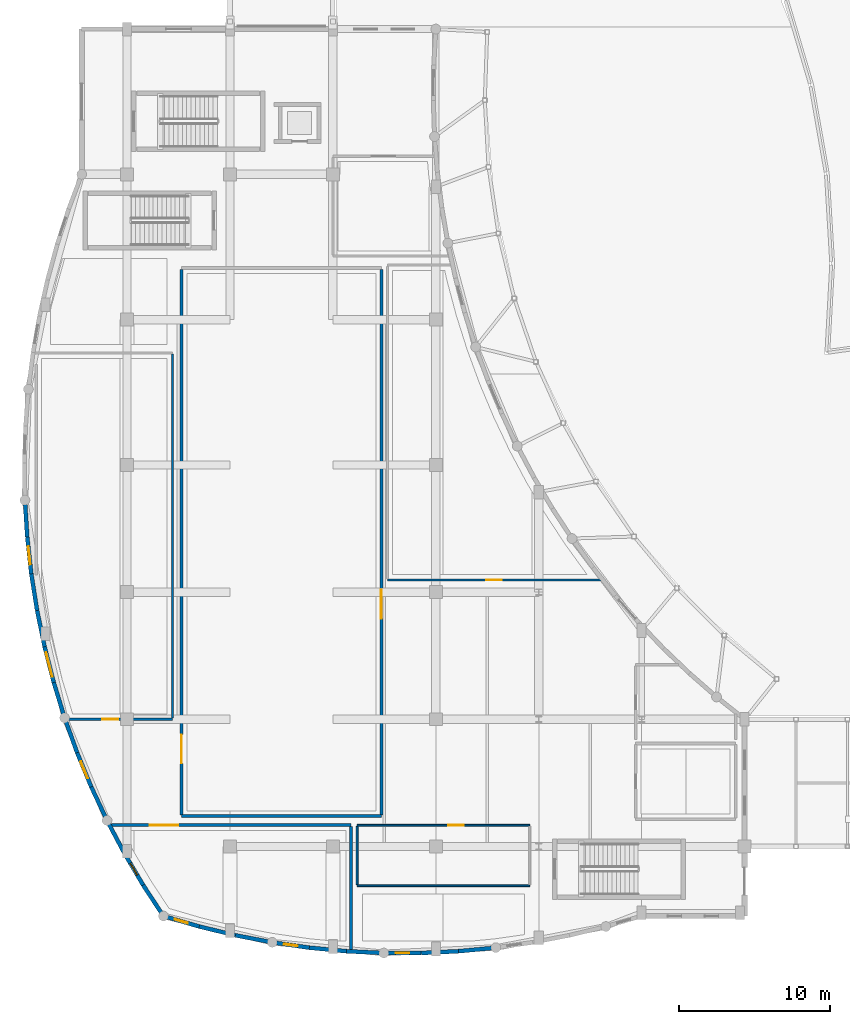
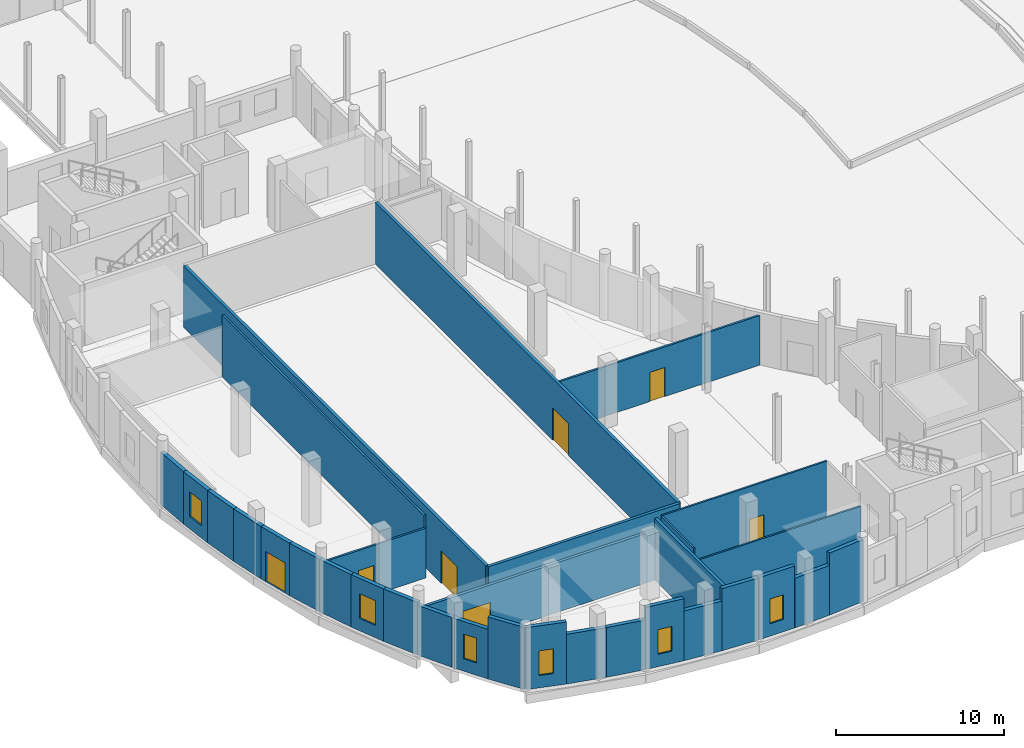
# One storey, part 60 of 97: 32 walls, 7 doors, 6 windows, 13 openings.
"""IFC4 building model written with IfcOpenShell, lengths in metres."""

from ifc_helpers import new_model, si_unit, direction, frame, frame_2d, origin, place, context, subcontext, project, spatial, rectangle, extrude, material, layer, layer_set, type_object, element, fill, save


model = new_model("IFC4")

# Units and contexts
model_context = context("Model", 3, precision=1e-05, world=origin(), true_north=direction((0.0, 1.0)))
body_context = subcontext(model_context, "Body", "Model", "MODEL_VIEW")
ifc_project = project(units=[si_unit("LENGTHUNIT", "METRE"), si_unit("AREAUNIT", "SQUARE_METRE"), si_unit("VOLUMEUNIT", "CUBIC_METRE"), si_unit("PLANEANGLEUNIT", "RADIAN"), si_unit("MASSUNIT", "GRAM", prefix="KILO")], contexts=[model_context])

# Site, building, storey
site_placement = place(None, origin())
site = spatial("IfcSite", under=ifc_project, at=site_placement, CompositionType="ELEMENT")
building_placement = place(site_placement, origin())
building = spatial("IfcBuilding", under=site, at=building_placement, Name="Kisaragi Civic Commons", CompositionType="ELEMENT")
storey_placement = place(building_placement, origin())
storey = spatial("IfcBuildingStorey", under=building, at=storey_placement, Name="L00", CompositionType="ELEMENT", Elevation=0.0)

# Walls
ifc_material_1 = material(Name="Insulated Tokoname terracotta cavity wall", Category="masonry")
ifc_layer_1 = layer(ifc_material_1, 0.26806640625, Name="Insulated Tokoname terracotta cavity wall", Category="masonry")
ifc_layer_set_1 = layer_set([ifc_layer_1], Name="Insulated Tokoname terracotta cavity wall")
wall_type_1 = type_object("IfcWallType", Name="EW-04", PredefinedType="STANDARD", material=ifc_layer_set_1)
wall_1_placement = place(storey_placement, frame((31.159912109375, 1.707763671875, 0.0), z_axis=(0.0, 0.0, 1.0), x_axis=(-0.995485691749, -0.094911735433, 0.0)))
element("IfcWall", 1, at=wall_1_placement, inside=storey, type_object=wall_type_1, Name="V1 L00 exterior terracotta wall EW-04 30", PredefinedType="STANDARD", context=body_context, shape_type="SweptSolid", body=[
    extrude(rectangle(XDim=2.469482421875, YDim=0.26806640625, at=frame_2d((1.23486328125, 0.0))), origin(), (0.0, 0.0, 1.0), 4.52001953125),
])
wall_2_placement = place(storey_placement, frame((28.70166015625, 1.473388671875, 0.0), z_axis=(0.0, 0.0, 1.0), x_axis=(-0.998873499285, -0.047452422769, 0.0)))
element("IfcWall", 2, at=wall_2_placement, inside=storey, type_object=wall_type_1, Name="V1 L00 exterior terracotta wall EW-04 31", PredefinedType="STANDARD", context=body_context, shape_type="SweptSolid", body=[
    extrude(rectangle(XDim=2.469482421875, YDim=0.26806640625, at=frame_2d((1.23486328125, 0.0))), origin(), (0.0, 0.0, 1.0), 3.6201171875),
])

# Wall, opening, window
wall_3_placement = place(storey_placement, frame((26.23486328125, 1.356201171875, 0.0), z_axis=(0.0, 0.0, 1.0), x_axis=(-1.0, 0.0, 0.0)))
wall_3 = element("IfcWall", 3, at=wall_3_placement, inside=storey, type_object=wall_type_1, Name="V1 L00 exterior terracotta wall EW-04 32", PredefinedType="STANDARD", context=body_context, shape_type="SweptSolid", body=[
    extrude(rectangle(XDim=2.4697265625, YDim=0.26806640625, at=frame_2d((1.23486328125, 0.0))), origin(), (0.0, 0.0, 1.0), 4.52001953125),
])
opening_1_placement = place(wall_3_placement, frame((0.784912109375, 0.0, 0.89990234375)))
opening_1 = element("IfcOpeningElement", 4, at=opening_1_placement, cuts=wall_3, Name="Opening W-06", PredefinedType="OPENING", context=body_context, shape_type="SweptSolid", body=[
    extrude(rectangle(XDim=0.89990234375, YDim=1.800048828125, at=frame_2d((0.449951171875, 0.89990234375))), frame((0.0, 0.14404296875, 0.0), z_axis=(0.0, -1.0, 0.0), x_axis=(1.0, 0.0, 0.0)), (0.0, 0.0, 1.0), 0.2880859375),
])
ifc_material_2 = material(Name="Thermally broken aluminium frame and low-E argon double glazing", Category="aluminium")
window_type_1 = type_object("IfcWindowType", Name="W-06", PartitioningType="SINGLE_PANEL", PredefinedType="WINDOW", material=ifc_material_2)
window_1_placement = place(opening_1_placement, origin())
window_1 = element("IfcWindow", 5, at=window_1_placement, inside=storey, type_object=window_type_1, Name="V1 L00 window W-06 8", OverallHeight=1.800048828125, OverallWidth=0.89990234375, PartitioningType="SINGLE_PANEL", PredefinedType="WINDOW", context=body_context, shape_type="SweptSolid", body=[
    extrude(rectangle(XDim=0.89990234375, YDim=1.800048828125, at=frame_2d((0.449951171875, 0.89990234375))), frame((0.0, 0.030029296875, 0.0), z_axis=(0.0, -1.0, 0.0), x_axis=(1.0, 0.0, 0.0)), (0.0, 0.0, 1.0), 0.06005859375),
])
fill(opening_1, window_1)

# Walls
wall_4_placement = place(storey_placement, frame((23.76513671875, 1.356201171875, 0.0), z_axis=(0.0, 0.0, 1.0), x_axis=(-0.998873499285, 0.047452422769, 0.0)))
element("IfcWall", 6, at=wall_4_placement, inside=storey, type_object=wall_type_1, Name="V1 L00 exterior terracotta wall EW-04 33", PredefinedType="STANDARD", context=body_context, shape_type="SweptSolid", body=[
    extrude(rectangle(XDim=2.469482421875, YDim=0.26806640625, at=frame_2d((1.23486328125, 0.0))), origin(), (0.0, 0.0, 1.0), 4.52001953125),
])
wall_5_placement = place(storey_placement, frame((21.29833984375, 1.473388671875, 0.0), z_axis=(0.0, 0.0, 1.0), x_axis=(-0.995485691749, 0.094911735433, 0.0)))
element("IfcWall", 7, at=wall_5_placement, inside=storey, type_object=wall_type_1, Name="V1 L00 exterior terracotta wall EW-04 34", PredefinedType="STANDARD", context=body_context, shape_type="SweptSolid", body=[
    extrude(rectangle(XDim=2.469482421875, YDim=0.26806640625, at=frame_2d((1.23486328125, 0.0))), origin(), (0.0, 0.0, 1.0), 3.6201171875),
])

# Wall, opening, window
wall_6_placement = place(storey_placement, frame((18.840087890625, 1.707763671875, 0.0), z_axis=(0.0, 0.0, 1.0), x_axis=(-0.989872236715, 0.141961103757, 0.0)))
wall_6 = element("IfcWall", 8, at=wall_6_placement, inside=storey, type_object=wall_type_1, Name="V1 L00 exterior terracotta wall EW-04 35", PredefinedType="STANDARD", context=body_context, shape_type="SweptSolid", body=[
    extrude(rectangle(XDim=2.469482421875, YDim=0.26806640625, at=frame_2d((1.23486328125, 0.0))), origin(), (0.0, 0.0, 1.0), 4.52001953125),
])
opening_2_placement = place(wall_6_placement, frame((0.784912109375, 0.0, 0.89990234375)))
opening_2 = element("IfcOpeningElement", 9, at=opening_2_placement, cuts=wall_6, Name="Opening W-06", PredefinedType="OPENING", context=body_context, shape_type="SweptSolid", body=[
    extrude(rectangle(XDim=0.89990234375, YDim=1.800048828125, at=frame_2d((0.449951171875, 0.89990234375))), frame((0.0, 0.14404296875, 0.0), z_axis=(0.0, -1.0, 0.0), x_axis=(1.0, 0.0, 0.0)), (0.0, 0.0, 1.0), 0.2880859375),
])
window_2_placement = place(opening_2_placement, origin())
window_2 = element("IfcWindow", 10, at=window_2_placement, inside=storey, type_object=window_type_1, Name="V1 L00 window W-06 9", OverallHeight=1.800048828125, OverallWidth=0.89990234375, PartitioningType="SINGLE_PANEL", PredefinedType="WINDOW", context=body_context, shape_type="SweptSolid", body=[
    extrude(rectangle(XDim=0.89990234375, YDim=1.800048828125, at=frame_2d((0.449951171875, 0.89990234375))), frame((0.0, 0.030029296875, 0.0), z_axis=(0.0, -1.0, 0.0), x_axis=(1.0, 0.0, 0.0)), (0.0, 0.0, 1.0), 0.06005859375),
])
fill(opening_2, window_2)

# Walls
wall_7_placement = place(storey_placement, frame((16.3955078125, 2.058349609375, 0.0), z_axis=(0.0, 0.0, 1.0), x_axis=(-0.982013497208, 0.188810728777, 0.0)))
element("IfcWall", 11, at=wall_7_placement, inside=storey, type_object=wall_type_1, Name="V1 L00 exterior terracotta wall EW-04 36", PredefinedType="STANDARD", context=body_context, shape_type="SweptSolid", body=[
    extrude(rectangle(XDim=2.4697265625, YDim=0.26806640625, at=frame_2d((1.23486328125, 0.0))), origin(), (0.0, 0.0, 1.0), 3.6201171875),
])
wall_8_placement = place(storey_placement, frame((13.97021484375, 2.524658203125, 0.0), z_axis=(0.0, 0.0, 1.0), x_axis=(-0.971924140736, 0.235294421214, 0.0)))
element("IfcWall", 12, at=wall_8_placement, inside=storey, type_object=wall_type_1, Name="V1 L00 exterior terracotta wall EW-04 37", PredefinedType="STANDARD", context=body_context, shape_type="SweptSolid", body=[
    extrude(rectangle(XDim=2.469482421875, YDim=0.26806640625, at=frame_2d((1.23486328125, 0.0))), origin(), (0.0, 0.0, 1.0), 3.6201171875),
])

# Wall, opening, window
wall_9_placement = place(storey_placement, frame((11.570068359375, 3.105712890625, 0.0), z_axis=(0.0, 0.0, 1.0), x_axis=(-0.959667177702, 0.281138592232, 0.0)))
wall_9 = element("IfcWall", 13, at=wall_9_placement, inside=storey, type_object=wall_type_1, Name="V1 L00 exterior terracotta wall EW-04 38", PredefinedType="STANDARD", context=body_context, shape_type="SweptSolid", body=[
    extrude(rectangle(XDim=2.4697265625, YDim=0.26806640625, at=frame_2d((1.23486328125, 0.0))), origin(), (0.0, 0.0, 1.0), 4.52001953125),
])
opening_3_placement = place(wall_9_placement, frame((0.784912109375, 0.0, 0.89990234375)))
opening_3 = element("IfcOpeningElement", 14, at=opening_3_placement, cuts=wall_9, Name="Opening W-06", PredefinedType="OPENING", context=body_context, shape_type="SweptSolid", body=[
    extrude(rectangle(XDim=0.89990234375, YDim=1.800048828125, at=frame_2d((0.449951171875, 0.89990234375))), frame((0.0, 0.14404296875, 0.0), z_axis=(0.0, -1.0, 0.0), x_axis=(1.0, 0.0, 0.0)), (0.0, 0.0, 1.0), 0.2880859375),
])
window_3_placement = place(opening_3_placement, origin())
window_3 = element("IfcWindow", 15, at=window_3_placement, inside=storey, type_object=window_type_1, Name="V1 L00 window W-06 10", OverallHeight=1.800048828125, OverallWidth=0.89990234375, PartitioningType="SINGLE_PANEL", PredefinedType="WINDOW", context=body_context, shape_type="SweptSolid", body=[
    extrude(rectangle(XDim=0.89990234375, YDim=1.800048828125, at=frame_2d((0.449951171875, 0.89990234375))), frame((0.0, 0.030029296875, 0.0), z_axis=(0.0, -1.0, 0.0), x_axis=(1.0, 0.0, 0.0)), (0.0, 0.0, 1.0), 0.06005859375),
])
fill(opening_3, window_3)

# Wall
wall_10_placement = place(storey_placement, frame((9.199951171875, 3.800048828125, 0.0), z_axis=(0.0, 0.0, 1.0), x_axis=(-0.548093698086, 0.836416940358, 0.0)))
element("IfcWall", 16, at=wall_10_placement, inside=storey, type_object=wall_type_1, Name="V1 L00 exterior terracotta wall EW-04 39", PredefinedType="STANDARD", context=body_context, shape_type="SweptSolid", body=[
    extrude(rectangle(XDim=2.445556640625, YDim=0.26806640625, at=frame_2d((1.22265625, 0.0))), origin(), (0.0, 0.0, 1.0), 4.52001953125),
])

# Wall, opening, window
wall_11_placement = place(storey_placement, frame((7.859619140625, 5.845458984375, 0.0), z_axis=(0.0, 0.0, 1.0), x_axis=(-0.508154045832, 0.861266199095, 0.0)))
wall_11 = element("IfcWall", 17, at=wall_11_placement, inside=storey, type_object=wall_type_1, Name="V1 L00 exterior terracotta wall EW-04 40", PredefinedType="STANDARD", context=body_context, shape_type="SweptSolid", body=[
    extrude(rectangle(XDim=2.445556640625, YDim=0.26806640625, at=frame_2d((1.22265625, 0.0))), origin(), (0.0, 0.0, 1.0), 3.6201171875),
])
opening_4_placement = place(wall_11_placement, frame((0.772705078125, 0.0, 0.89990234375)))
opening_4 = element("IfcOpeningElement", 18, at=opening_4_placement, cuts=wall_11, Name="Opening W-06", PredefinedType="OPENING", context=body_context, shape_type="SweptSolid", body=[
    extrude(rectangle(XDim=0.89990234375, YDim=1.800048828125, at=frame_2d((0.449951171875, 0.89990234375))), frame((0.0, 0.14404296875, 0.0), z_axis=(0.0, -1.0, 0.0), x_axis=(1.0, 0.0, 0.0)), (0.0, 0.0, 1.0), 0.2880859375),
])
window_4_placement = place(opening_4_placement, origin())
window_4 = element("IfcWindow", 19, at=window_4_placement, inside=storey, type_object=window_type_1, Name="V1 L00 window W-06 11", OverallHeight=1.800048828125, OverallWidth=0.89990234375, PartitioningType="SINGLE_PANEL", PredefinedType="WINDOW", context=body_context, shape_type="SweptSolid", body=[
    extrude(rectangle(XDim=0.89990234375, YDim=1.800048828125, at=frame_2d((0.449951171875, 0.89990234375))), frame((0.0, 0.030029296875, 0.0), z_axis=(0.0, -1.0, 0.0), x_axis=(1.0, 0.0, 0.0)), (0.0, 0.0, 1.0), 0.06005859375),
])
fill(opening_4, window_4)

# Walls
wall_12_placement = place(storey_placement, frame((6.616943359375, 7.95166015625, 0.0), z_axis=(0.0, 0.0, 1.0), x_axis=(-0.467149014597, 0.884178600827, 0.0)))
element("IfcWall", 20, at=wall_12_placement, inside=storey, type_object=wall_type_1, Name="V1 L00 exterior terracotta wall EW-04 41", PredefinedType="STANDARD", context=body_context, shape_type="SweptSolid", body=[
    extrude(rectangle(XDim=2.4453125, YDim=0.26806640625, at=frame_2d((1.22265625, 0.0))), origin(), (0.0, 0.0, 1.0), 3.6201171875),
])
wall_13_placement = place(storey_placement, frame((5.474609375, 10.11376953125, 0.0), z_axis=(0.0, 0.0, 1.0), x_axis=(-0.424993953285, 0.905196188498, 0.0)))
element("IfcWall", 21, at=wall_13_placement, inside=storey, type_object=wall_type_1, Name="V1 L00 exterior terracotta wall EW-04 42", PredefinedType="STANDARD", context=body_context, shape_type="SweptSolid", body=[
    extrude(rectangle(XDim=2.445556640625, YDim=0.26806640625, at=frame_2d((1.22265625, 0.0))), origin(), (0.0, 0.0, 1.0), 3.820068359375),
])

# Wall, opening, window
wall_14_placement = place(storey_placement, frame((4.435302734375, 12.327392578125, 0.0), z_axis=(0.0, 0.0, 1.0), x_axis=(-0.3819696495, 0.924174868118, 0.0)))
wall_14 = element("IfcWall", 22, at=wall_14_placement, inside=storey, type_object=wall_type_1, Name="V1 L00 exterior terracotta wall EW-04 43", PredefinedType="STANDARD", context=body_context, shape_type="SweptSolid", body=[
    extrude(rectangle(XDim=2.445556640625, YDim=0.26806640625, at=frame_2d((1.22265625, 0.0))), origin(), (0.0, 0.0, 1.0), 3.820068359375),
])
opening_5_placement = place(wall_14_placement, frame((0.622802734375, 0.0, 0.89990234375)))
opening_5 = element("IfcOpeningElement", 23, at=opening_5_placement, cuts=wall_14, Name="Opening W-05", PredefinedType="OPENING", context=body_context, shape_type="SweptSolid", body=[
    extrude(rectangle(XDim=1.199951171875, YDim=1.800048828125, at=frame_2d((0.60009765625, 0.89990234375))), frame((0.0, 0.14404296875, 0.0), z_axis=(0.0, -1.0, 0.0), x_axis=(1.0, 0.0, 0.0)), (0.0, 0.0, 1.0), 0.2880859375),
])
window_type_2 = type_object("IfcWindowType", Name="W-05", PartitioningType="SINGLE_PANEL", PredefinedType="WINDOW", material=ifc_material_2)
window_5_placement = place(opening_5_placement, origin())
window_5 = element("IfcWindow", 24, at=window_5_placement, inside=storey, type_object=window_type_2, Name="V1 L00 window W-05 12", OverallHeight=1.800048828125, OverallWidth=1.199951171875, PartitioningType="SINGLE_PANEL", PredefinedType="WINDOW", context=body_context, shape_type="SweptSolid", body=[
    extrude(rectangle(XDim=1.199951171875, YDim=1.800048828125, at=frame_2d((0.60009765625, 0.89990234375))), frame((0.0, 0.030029296875, 0.0), z_axis=(0.0, -1.0, 0.0), x_axis=(1.0, 0.0, 0.0)), (0.0, 0.0, 1.0), 0.06005859375),
])
fill(opening_5, window_5)

# Walls
wall_15_placement = place(storey_placement, frame((3.501220703125, 14.58740234375, 0.0), z_axis=(0.0, 0.0, 1.0), x_axis=(-0.338125508997, 0.941101025483, 0.0)))
element("IfcWall", 25, at=wall_15_placement, inside=storey, type_object=wall_type_1, Name="V1 L00 exterior terracotta wall EW-04 44", PredefinedType="STANDARD", context=body_context, shape_type="SweptSolid", body=[
    extrude(rectangle(XDim=2.445556640625, YDim=0.26806640625, at=frame_2d((1.22265625, 0.0))), origin(), (0.0, 0.0, 1.0), 3.820068359375),
])
wall_16_placement = place(storey_placement, frame((2.67431640625, 16.888916015625, 0.0), z_axis=(0.0, 0.0, 1.0), x_axis=(-0.293524545096, 0.955951537174, 0.0)))
element("IfcWall", 26, at=wall_16_placement, inside=storey, type_object=wall_type_1, Name="V1 L00 exterior terracotta wall EW-04 45", PredefinedType="STANDARD", context=body_context, shape_type="SweptSolid", body=[
    extrude(rectangle(XDim=2.4453125, YDim=0.26806640625, at=frame_2d((1.22265625, 0.0))), origin(), (0.0, 0.0, 1.0), 3.820068359375),
])

# Wall, opening, door
wall_17_placement = place(storey_placement, frame((1.95654296875, 19.2265625, 0.0), z_axis=(0.0, 0.0, 1.0), x_axis=(-0.248192795271, 0.968710656685, 0.0)))
wall_17 = element("IfcWall", 27, at=wall_17_placement, inside=storey, type_object=wall_type_1, Name="V1 L00 exterior terracotta wall EW-04 46", PredefinedType="STANDARD", context=body_context, shape_type="SweptSolid", body=[
    extrude(rectangle(XDim=2.4453125, YDim=0.26806640625, at=frame_2d((1.22265625, 0.0))), origin(), (0.0, 0.0, 1.0), 3.820068359375),
])
opening_6_placement = place(wall_17_placement, frame((0.397705078125, 0.0, 0.0)))
opening_6 = element("IfcOpeningElement", 28, at=opening_6_placement, cuts=wall_17, Name="Opening ED-D", PredefinedType="OPENING", context=body_context, shape_type="SweptSolid", body=[
    extrude(rectangle(XDim=1.64990234375, YDim=2.199951171875, at=frame_2d((0.824951171875, 1.10009765625))), frame((0.0, 0.14404296875, 0.0), z_axis=(0.0, -1.0, 0.0), x_axis=(1.0, 0.0, 0.0)), (0.0, 0.0, 1.0), 0.2880859375),
])
ifc_material_3 = material(Name="Thermally broken anodized aluminium glazed exit door", Category="aluminium")
door_type_1 = type_object("IfcDoorType", Name="ED-D", OperationType="NOTDEFINED", PredefinedType="DOOR", material=ifc_material_3)
door_1_placement = place(opening_6_placement, origin())
door_1 = element("IfcDoor", 29, at=door_1_placement, inside=storey, type_object=door_type_1, Name="Ground exterior exit and veranda door ED-D 03", OperationType="DOUBLE_DOOR_SINGLE_SWING", OverallHeight=2.199951171875, OverallWidth=1.64990234375, PredefinedType="DOOR", context=body_context, shape_type="SweptSolid", body=[
    extrude(rectangle(XDim=1.64990234375, YDim=2.199951171875, at=frame_2d((0.824951171875, 1.10009765625))), frame((0.0, 0.02490234375, 0.0), z_axis=(0.0, -1.0, 0.0), x_axis=(1.0, 0.0, 0.0)), (0.0, 0.0, 1.0), 0.050048828125),
])
fill(opening_6, door_1)

# Walls
wall_18_placement = place(storey_placement, frame((1.349609375, 21.595458984375, 0.0), z_axis=(0.0, 0.0, 1.0), x_axis=(-0.202466947534, 0.979289096823, 0.0)))
element("IfcWall", 30, at=wall_18_placement, inside=storey, type_object=wall_type_1, Name="V1 L00 exterior terracotta wall EW-04 47", PredefinedType="STANDARD", context=body_context, shape_type="SweptSolid", body=[
    extrude(rectangle(XDim=2.4453125, YDim=0.26806640625, at=frame_2d((1.22265625, 0.0))), origin(), (0.0, 0.0, 1.0), 3.820068359375),
])
wall_19_placement = place(storey_placement, frame((0.8544921875, 23.990234375, 0.0), z_axis=(0.0, 0.0, 1.0), x_axis=(-0.156136871901, 0.987735428763, 0.0)))
element("IfcWall", 31, at=wall_19_placement, inside=storey, type_object=wall_type_1, Name="V1 L00 exterior terracotta wall EW-04 48", PredefinedType="STANDARD", context=body_context, shape_type="SweptSolid", body=[
    extrude(rectangle(XDim=2.445556640625, YDim=0.26806640625, at=frame_2d((1.22265625, 0.0))), origin(), (0.0, 0.0, 1.0), 3.820068359375),
])

# Wall, opening, window
wall_20_placement = place(storey_placement, frame((0.47265625, 26.40576171875, 0.0), z_axis=(0.0, 0.0, 1.0), x_axis=(-0.109521982528, 0.993984373792, 0.0)))
wall_20 = element("IfcWall", 32, at=wall_20_placement, inside=storey, type_object=wall_type_1, Name="V1 L00 exterior terracotta wall EW-04 49", PredefinedType="STANDARD", context=body_context, shape_type="SweptSolid", body=[
    extrude(rectangle(XDim=2.4453125, YDim=0.26806640625, at=frame_2d((1.22265625, 0.0))), origin(), (0.0, 0.0, 1.0), 3.820068359375),
])
opening_7_placement = place(wall_20_placement, frame((0.622802734375, 0.0, 0.89990234375)))
opening_7 = element("IfcOpeningElement", 33, at=opening_7_placement, cuts=wall_20, Name="Opening W-05", PredefinedType="OPENING", context=body_context, shape_type="SweptSolid", body=[
    extrude(rectangle(XDim=1.199951171875, YDim=1.800048828125, at=frame_2d((0.60009765625, 0.89990234375))), frame((0.0, 0.14404296875, 0.0), z_axis=(0.0, -1.0, 0.0), x_axis=(1.0, 0.0, 0.0)), (0.0, 0.0, 1.0), 0.2880859375),
])
window_6_placement = place(opening_7_placement, origin())
window_6 = element("IfcWindow", 34, at=window_6_placement, inside=storey, type_object=window_type_2, Name="V1 L00 window W-05 13", OverallHeight=1.800048828125, OverallWidth=1.199951171875, PartitioningType="SINGLE_PANEL", PredefinedType="WINDOW", context=body_context, shape_type="SweptSolid", body=[
    extrude(rectangle(XDim=1.199951171875, YDim=1.800048828125, at=frame_2d((0.60009765625, 0.89990234375))), frame((0.0, 0.030029296875, 0.0), z_axis=(0.0, -1.0, 0.0), x_axis=(1.0, 0.0, 0.0)), (0.0, 0.0, 1.0), 0.06005859375),
])
fill(opening_7, window_6)

# Walls
wall_21_placement = place(storey_placement, frame((0.204833984375, 28.83642578125, 0.0), z_axis=(0.0, 0.0, 1.0), x_axis=(-0.062695263199, 0.998032716885, 0.0)))
element("IfcWall", 35, at=wall_21_placement, inside=storey, type_object=wall_type_1, Name="V1 L00 exterior terracotta wall EW-04 50", PredefinedType="STANDARD", context=body_context, shape_type="SweptSolid", body=[
    extrude(rectangle(XDim=2.445556640625, YDim=0.26806640625, at=frame_2d((1.22265625, 0.0))), origin(), (0.0, 0.0, 1.0), 3.820068359375),
])
ifc_material_4 = material(Name="Fire-rated double gypsum board on steel studs with mineral wool", Category="steel")
ifc_layer_2 = layer(ifc_material_4, 0.199951171875, Name="Fire-rated double gypsum board on steel studs with mineral wool", Category="steel")
ifc_layer_set_2 = layer_set([ifc_layer_2], Name="Fire-rated double gypsum board on steel studs with mineral wool")
wall_type_2 = type_object("IfcWallType", Name="FW-01", PredefinedType="STANDARD", material=ifc_layer_set_2)
wall_22_placement = place(storey_placement, frame((23.594970703125, 10.39990234375, 0.0), z_axis=(0.0, 0.0, 1.0), x_axis=(-1.0, 0.0, 0.0)))
element("IfcWall", 36, at=wall_22_placement, inside=storey, type_object=wall_type_2, Name="L00 M0-01 partition FW-01 63", PredefinedType="STANDARD", context=body_context, shape_type="SweptSolid", body=[
    extrude(rectangle(XDim=13.18994140625, YDim=0.199951171875, at=frame_2d((6.594970703125, 0.0))), origin(), (0.0, 0.0, 1.0), 4.489990234375),
])

# Wall, opening, door
wall_23_placement = place(storey_placement, frame((10.39990234375, 10.47509765625, 0.0), z_axis=(0.0, 0.0, 1.0), x_axis=(0.0, 1.0, 0.0)))
wall_23 = element("IfcWall", 37, at=wall_23_placement, inside=storey, type_object=wall_type_2, Name="L00 M0-01 partition FW-01 64", PredefinedType="STANDARD", context=body_context, shape_type="SweptSolid", body=[
    extrude(rectangle(XDim=36.0498046875, YDim=0.199951171875, at=frame_2d((18.02490234375, 0.0))), origin(), (0.0, 0.0, 1.0), 4.489990234375),
])
opening_8_placement = place(wall_23_placement, frame((3.4150390625, 0.0, 0.0)))
opening_8 = element("IfcOpeningElement", 38, at=opening_8_placement, cuts=wall_23, Name="Opening ID-06", PredefinedType="OPENING", context=body_context, shape_type="SweptSolid", body=[
    extrude(rectangle(XDim=1.89990234375, YDim=2.35009765625, at=frame_2d((0.949951171875, 1.175048828125))), frame((0.0, 0.10986328125, 0.0), z_axis=(0.0, -1.0, 0.0), x_axis=(1.0, 0.0, 0.0)), (0.0, 0.0, 1.0), 0.219970703125),
])
ifc_material_5 = material(Name="Insulated fire-rated pressed steel door assembly", Category="steel")
door_type_2 = type_object("IfcDoorType", Name="ID-06", OperationType="NOTDEFINED", PredefinedType="DOOR", material=ifc_material_5)
door_2_placement = place(opening_8_placement, origin())
door_2 = element("IfcDoor", 39, at=door_2_placement, inside=storey, type_object=door_type_2, Name="Main Hall door ID-06", OperationType="DOUBLE_DOOR_SINGLE_SWING", OverallHeight=2.35009765625, OverallWidth=1.89990234375, PredefinedType="DOOR", context=body_context, shape_type="SweptSolid", body=[
    extrude(rectangle(XDim=1.89990234375, YDim=2.35009765625, at=frame_2d((0.949951171875, 1.175048828125))), frame((0.0, 0.02490234375, 0.0), z_axis=(0.0, -1.0, 0.0), x_axis=(1.0, 0.0, 0.0)), (0.0, 0.0, 1.0), 0.050048828125),
])
fill(opening_8, door_2)

wall_24_placement = place(storey_placement, frame((23.60009765625, 46.52490234375, 0.0), z_axis=(0.0, 0.0, 1.0), x_axis=(0.0, -1.0, 0.0)))
wall_24 = element("IfcWall", 40, at=wall_24_placement, inside=storey, type_object=wall_type_2, Name="L00 M0-01 partition FW-01 66", PredefinedType="STANDARD", context=body_context, shape_type="SweptSolid", body=[
    extrude(rectangle(XDim=36.0498046875, YDim=0.199951171875, at=frame_2d((18.02490234375, 0.0))), origin(), (0.0, 0.0, 1.0), 4.489990234375),
])
opening_9_placement = place(wall_24_placement, frame((21.173095703125, 0.0, 0.0)))
opening_9 = element("IfcOpeningElement", 41, at=opening_9_placement, cuts=wall_24, Name="Opening ID-06", PredefinedType="OPENING", context=body_context, shape_type="SweptSolid", body=[
    extrude(rectangle(XDim=1.89990234375, YDim=2.35009765625, at=frame_2d((0.949951171875, 1.175048828125))), frame((0.0, 0.10986328125, 0.0), z_axis=(0.0, -1.0, 0.0), x_axis=(1.0, 0.0, 0.0)), (0.0, 0.0, 1.0), 0.219970703125),
])
door_3_placement = place(opening_9_placement, origin())
door_3 = element("IfcDoor", 42, at=door_3_placement, inside=storey, type_object=door_type_2, Name="Main Hall door ID-06", OperationType="DOUBLE_DOOR_SINGLE_SWING", OverallHeight=2.35009765625, OverallWidth=1.89990234375, PredefinedType="DOOR", context=body_context, shape_type="SweptSolid", body=[
    extrude(rectangle(XDim=1.89990234375, YDim=2.35009765625, at=frame_2d((0.949951171875, 1.175048828125))), frame((0.0, 0.02490234375, 0.0), z_axis=(0.0, -1.0, 0.0), x_axis=(1.0, 0.0, 0.0)), (0.0, 0.0, 1.0), 0.050048828125),
])
fill(opening_9, door_3)

wall_25_placement = place(storey_placement, frame((5.782470703125, 9.800048828125, 0.0), z_axis=(0.0, 0.0, 1.0), x_axis=(1.0, 0.0, 0.0)))
wall_25 = element("IfcWall", 43, at=wall_25_placement, inside=storey, type_object=wall_type_2, Name="L00 M0-05 partition FW-01 81", PredefinedType="STANDARD", context=body_context, shape_type="SweptSolid", body=[
    extrude(rectangle(XDim=15.8125, YDim=0.199951171875, at=frame_2d((7.90625, 0.0))), origin(), (0.0, 0.0, 1.0), 3.6201171875),
])
opening_10_placement = place(wall_25_placement, frame((2.504150390625, 0.0, 0.0)))
opening_10 = element("IfcOpeningElement", 44, at=opening_10_placement, cuts=wall_25, Name="Opening ID-06", PredefinedType="OPENING", context=body_context, shape_type="SweptSolid", body=[
    extrude(rectangle(XDim=1.89990234375, YDim=2.35009765625, at=frame_2d((0.949951171875, 1.175048828125))), frame((0.0, 0.10986328125, 0.0), z_axis=(0.0, -1.0, 0.0), x_axis=(1.0, 0.0, 0.0)), (0.0, 0.0, 1.0), 0.219970703125),
])
door_4_placement = place(opening_10_placement, origin())
door_4 = element("IfcDoor", 45, at=door_4_placement, inside=storey, type_object=door_type_2, Name="Sanctuary door ID-06", OperationType="DOUBLE_DOOR_SINGLE_SWING", OverallHeight=2.35009765625, OverallWidth=1.89990234375, PredefinedType="DOOR", context=body_context, shape_type="SweptSolid", body=[
    extrude(rectangle(XDim=1.89990234375, YDim=2.35009765625, at=frame_2d((0.949951171875, 1.175048828125))), frame((0.0, 0.02490234375, 0.0), z_axis=(0.0, -1.0, 0.0), x_axis=(1.0, 0.0, 0.0)), (0.0, 0.0, 1.0), 0.050048828125),
])
fill(opening_10, door_4)

# Wall
wall_26_placement = place(storey_placement, frame((21.60009765625, 9.72509765625, 0.0), z_axis=(0.0, 0.0, 1.0), x_axis=(0.0, -1.0, 0.0)))
element("IfcWall", 46, at=wall_26_placement, inside=storey, type_object=wall_type_2, Name="L00 M0-05 partition FW-01 82", PredefinedType="STANDARD", context=body_context, shape_type="SweptSolid", body=[
    extrude(rectangle(XDim=8.1240234375, YDim=0.199951171875, at=frame_2d((4.06201171875, 0.0))), origin(), (0.0, 0.0, 1.0), 4.489990234375),
])

# Wall, opening, door
ifc_material_6 = material(Name="Acoustic gypsum board on light-gauge steel studs", Category="steel")
ifc_layer_3 = layer(ifc_material_6, 0.137939453125, Name="Acoustic gypsum board on light-gauge steel studs", Category="steel")
ifc_layer_set_3 = layer_set([ifc_layer_3], Name="Acoustic gypsum board on light-gauge steel studs")
wall_type_3 = type_object("IfcWallType", Name="IW-02", PredefinedType="STANDARD", material=ifc_layer_set_3)
wall_27_placement = place(storey_placement, frame((38.095947265625, 26.0, 0.0), z_axis=(0.0, 0.0, 1.0), x_axis=(-1.0, 0.0, 0.0)))
wall_27 = element("IfcWall", 47, at=wall_27_placement, inside=storey, type_object=wall_type_3, Name="L00 M0-12 partition IW-02 49", PredefinedType="STANDARD", context=body_context, shape_type="SweptSolid", body=[
    extrude(rectangle(XDim=14.091064453125, YDim=0.137939453125, at=frame_2d((7.04541015625, 0.0))), origin(), (0.0, 0.0, 1.0), 3.6201171875),
])
opening_11_placement = place(wall_27_placement, frame((6.535400390625, 0.0, 0.0)))
opening_11 = element("IfcOpeningElement", 48, at=opening_11_placement, cuts=wall_27, Name="Opening ID-12", PredefinedType="OPENING", context=body_context, shape_type="SweptSolid", body=[
    extrude(rectangle(XDim=1.02001953125, YDim=2.1201171875, at=frame_2d((0.510009765625, 1.06005859375))), frame((0.0, 0.078857421875, 0.0), z_axis=(0.0, -1.0, 0.0), x_axis=(1.0, 0.0, 0.0)), (0.0, 0.0, 1.0), 0.157958984375),
])
ifc_material_7 = material(Name="Solid-core Japanese ash acoustic flush timber leaf in steel frame", Category="steel")
door_type_3 = type_object("IfcDoorType", Name="ID-12", OperationType="NOTDEFINED", PredefinedType="DOOR", material=ifc_material_7)
door_5_placement = place(opening_11_placement, origin())
door_5 = element("IfcDoor", 49, at=door_5_placement, inside=storey, type_object=door_type_3, Name="Civic Exhibition Gallery door ID-12", OperationType="SINGLE_SWING_RIGHT", OverallHeight=2.1201171875, OverallWidth=1.02001953125, PredefinedType="DOOR", context=body_context, shape_type="SweptSolid", body=[
    extrude(rectangle(XDim=1.02001953125, YDim=2.1201171875, at=frame_2d((0.510009765625, 1.06005859375))), frame((0.0, 0.02490234375, 0.0), z_axis=(0.0, -1.0, 0.0), x_axis=(1.0, 0.0, 0.0)), (0.0, 0.0, 1.0), 0.050048828125),
])
fill(opening_11, door_5)

# Wall
wall_28_placement = place(storey_placement, frame((9.800048828125, 40.925048828125, 0.0), z_axis=(0.0, 0.0, 1.0), x_axis=(0.0, -1.0, 0.0)))
element("IfcWall", 50, at=wall_28_placement, inside=storey, type_object=wall_type_3, Name="L00 M0-02 partition IW-02 69", PredefinedType="STANDARD", context=body_context, shape_type="SweptSolid", body=[
    extrude(rectangle(XDim=24.050048828125, YDim=0.137939453125, at=frame_2d((12.02490234375, 0.0))), origin(), (0.0, 0.0, 1.0), 4.489990234375),
])

# Wall, opening, door
wall_29_placement = place(storey_placement, frame((9.794921875, 16.800048828125, 0.0), z_axis=(0.0, 0.0, 1.0), x_axis=(-1.0, 0.0, 0.0)))
wall_29 = element("IfcWall", 51, at=wall_29_placement, inside=storey, type_object=wall_type_3, Name="L00 M0-02 partition IW-02 70", PredefinedType="STANDARD", context=body_context, shape_type="SweptSolid", body=[
    extrude(rectangle(XDim=6.82861328125, YDim=0.137939453125, at=frame_2d((3.414306640625, 0.0))), origin(), (0.0, 0.0, 1.0), 3.6201171875),
])
opening_12_placement = place(wall_29_placement, frame((3.582763671875, 0.0, 0.0)))
opening_12 = element("IfcOpeningElement", 52, at=opening_12_placement, cuts=wall_29, Name="Opening ID-03", PredefinedType="OPENING", context=body_context, shape_type="SweptSolid", body=[
    extrude(rectangle(XDim=1.050048828125, YDim=2.14990234375, at=frame_2d((0.52490234375, 1.074951171875))), frame((0.0, 0.078857421875, 0.0), z_axis=(0.0, -1.0, 0.0), x_axis=(1.0, 0.0, 0.0)), (0.0, 0.0, 1.0), 0.157958984375),
])
door_type_4 = type_object("IfcDoorType", Name="ID-03", OperationType="NOTDEFINED", PredefinedType="DOOR", material=ifc_material_7)
door_6_placement = place(opening_12_placement, origin())
door_6 = element("IfcDoor", 53, at=door_6_placement, inside=storey, type_object=door_type_4, Name="Main Hall Stage and Wing door ID-03", OperationType="SINGLE_SWING_RIGHT", OverallHeight=2.14990234375, OverallWidth=1.050048828125, PredefinedType="DOOR", context=body_context, shape_type="SweptSolid", body=[
    extrude(rectangle(XDim=1.050048828125, YDim=2.14990234375, at=frame_2d((0.52490234375, 1.074951171875))), frame((0.0, 0.02490234375, 0.0), z_axis=(0.0, -1.0, 0.0), x_axis=(1.0, 0.0, 0.0)), (0.0, 0.0, 1.0), 0.050048828125),
])
fill(opening_12, door_6)

# Walls
ifc_layer_4 = layer(ifc_material_6, 0.1201171875, Name="Acoustic gypsum board on light-gauge steel studs", Category="steel")
ifc_layer_set_4 = layer_set([ifc_layer_4], Name="Acoustic gypsum board on light-gauge steel studs")
wall_type_4 = type_object("IfcWallType", Name="IW-04", PredefinedType="STANDARD", material=ifc_layer_set_4)
wall_30_placement = place(storey_placement, frame((33.39501953125, 5.800048828125, 0.0), z_axis=(0.0, 0.0, 1.0), x_axis=(-1.0, 0.0, 0.0)))
element("IfcWall", 54, at=wall_30_placement, inside=storey, type_object=wall_type_4, Name="L00 M0-04 partition IW-04 75", PredefinedType="STANDARD", context=body_context, shape_type="SweptSolid", body=[
    extrude(rectangle(XDim=11.39013671875, YDim=0.1201171875, at=frame_2d((5.695068359375, 0.0))), origin(), (0.0, 0.0, 1.0), 3.6201171875),
])
wall_31_placement = place(storey_placement, frame((22.0, 5.875, 0.0), z_axis=(0.0, 0.0, 1.0), x_axis=(0.0, 1.0, 0.0)))
element("IfcWall", 55, at=wall_31_placement, inside=storey, type_object=wall_type_4, Name="L00 M0-04 partition IW-04 76", PredefinedType="STANDARD", context=body_context, shape_type="SweptSolid", body=[
    extrude(rectangle(XDim=3.85009765625, YDim=0.1201171875, at=frame_2d((1.925048828125, 0.0))), origin(), (0.0, 0.0, 1.0), 4.489990234375),
])

# Wall, opening, door
wall_32_placement = place(storey_placement, frame((22.0048828125, 9.800048828125, 0.0), z_axis=(0.0, 0.0, 1.0), x_axis=(1.0, 0.0, 0.0)))
wall_32 = element("IfcWall", 56, at=wall_32_placement, inside=storey, type_object=wall_type_4, Name="L00 M0-04 partition IW-04 77", PredefinedType="STANDARD", context=body_context, shape_type="SweptSolid", body=[
    extrude(rectangle(XDim=11.39013671875, YDim=0.1201171875, at=frame_2d((5.695068359375, 0.0))), origin(), (0.0, 0.0, 1.0), 4.489990234375),
])
opening_13_placement = place(wall_32_placement, frame((6.026123046875, 0.0, 0.0)))
opening_13 = element("IfcOpeningElement", 57, at=opening_13_placement, cuts=wall_32, Name="Opening ID-09", PredefinedType="OPENING", context=body_context, shape_type="SweptSolid", body=[
    extrude(rectangle(XDim=1.0, YDim=2.10009765625, at=frame_2d((0.5, 1.050048828125))), frame((0.0, 0.070068359375, 0.0), z_axis=(0.0, -1.0, 0.0), x_axis=(1.0, 0.0, 0.0)), (0.0, 0.0, 1.0), 0.14013671875),
])
door_type_5 = type_object("IfcDoorType", Name="ID-09", OperationType="NOTDEFINED", PredefinedType="DOOR", material=ifc_material_7)
door_7_placement = place(opening_13_placement, origin())
door_7 = element("IfcDoor", 58, at=door_7_placement, inside=storey, type_object=door_type_5, Name="Stage Equipment Store door ID-09", OperationType="SINGLE_SWING_LEFT", OverallHeight=2.10009765625, OverallWidth=1.0, PredefinedType="DOOR", context=body_context, shape_type="SweptSolid", body=[
    extrude(rectangle(XDim=1.0, YDim=2.10009765625, at=frame_2d((0.5, 1.050048828125))), frame((0.0, 0.02490234375, 0.0), z_axis=(0.0, -1.0, 0.0), x_axis=(1.0, 0.0, 0.0)), (0.0, 0.0, 1.0), 0.050048828125),
])
fill(opening_13, door_7)

save(model, "model.ifc")
